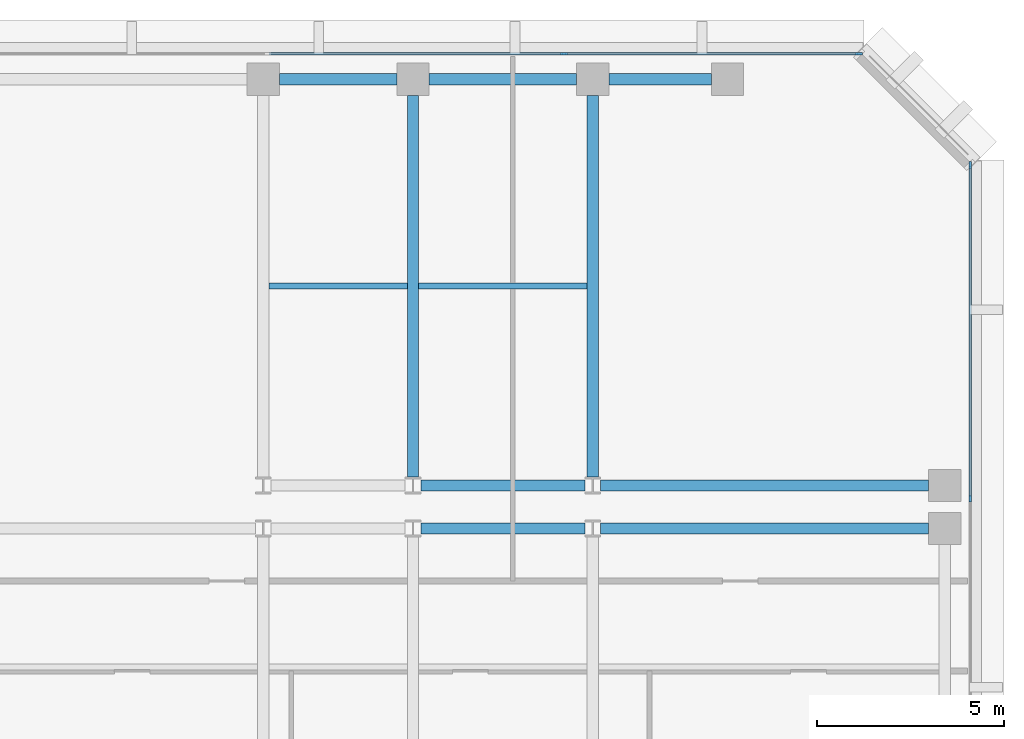
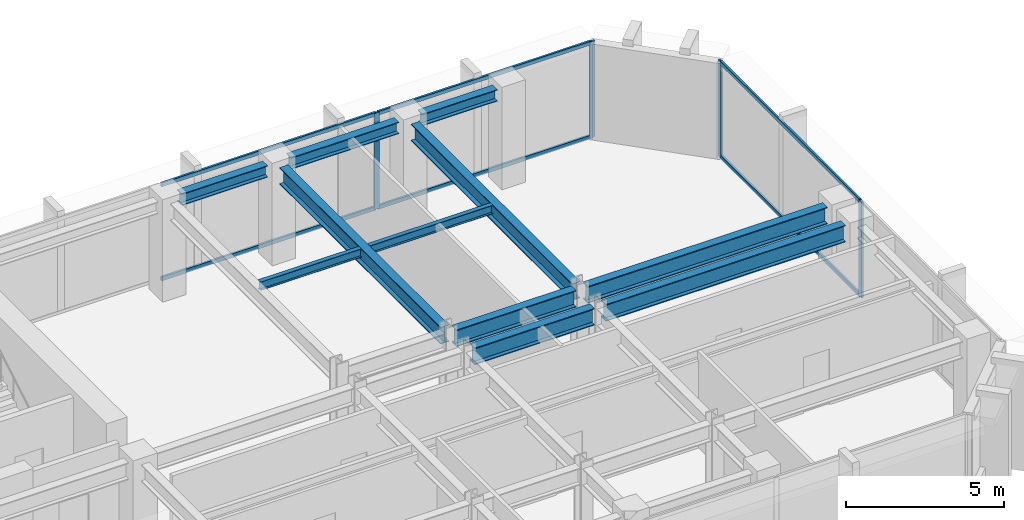
# One storey, part 5 of 11: 11 beams, 10 members, 2 elements without a shape of their own.
"""IFC4 building model written with IfcOpenShell, lengths in metres."""

from ifc_helpers import new_model, si_unit, direction, frame, origin, origin_2d, place, context, subcontext, project, spatial, rectangle, i_section, extrude, material, layer, layer_set, material_profile, profile_set, type_object, element, aggregate, save


model = new_model("IFC4")

# Units and contexts
model_context = context("Model", 3, precision=1e-05, world=origin(), true_north=direction((0.0, 1.0)))
body_context = subcontext(model_context, "Body", "Model", "MODEL_VIEW")
ifc_project = project(units=[si_unit("LENGTHUNIT", "METRE"), si_unit("AREAUNIT", "SQUARE_METRE"), si_unit("VOLUMEUNIT", "CUBIC_METRE"), si_unit("PLANEANGLEUNIT", "RADIAN"), si_unit("MASSUNIT", "GRAM", prefix="KILO")], contexts=[model_context])

# Site, building, storey
site_placement = place(None, origin())
site = spatial("IfcSite", under=ifc_project, at=site_placement, CompositionType="ELEMENT")
building_placement = place(site_placement, origin())
building = spatial("IfcBuilding", under=site, at=building_placement, Name="Kefirva Bronze Tower", CompositionType="ELEMENT")
storey_placement = place(building_placement, frame((0.0, 0.0, 146.85009765625)))
storey = spatial("IfcBuildingStorey", under=building, at=storey_placement, Name="L35", CompositionType="ELEMENT", Elevation=146.85009765625)

# Curtain wall, members
ifc_material_1 = material(Name="Bronze anodised aluminium", Category="aluminium")
ifc_layer = layer(ifc_material_1, 0.199951171875, Name="Bronze anodised aluminium")
ifc_layer_set = layer_set([ifc_layer], Name="Bronze anodised aluminium")
curtain_wall_type = type_object("IfcCurtainWallType", Name="Unitised Bronze Ribbon Curtain Wall Zone 2", PredefinedType="USERDEFINED", material=ifc_layer_set)
curtain_wall_1_placement = place(storey_placement, origin())
curtain_wall_1 = element("IfcCurtainWall", 1, at=curtain_wall_1_placement, inside=storey, type_object=curtain_wall_type, Name="L35 Curtain Wall 3", ObjectType="UNITISED CURTAIN WALL", PredefinedType="USERDEFINED")
ifc_material_profile_1 = material_profile(ifc_material_1, rectangle(XDim=0.074951171875, YDim=0.179931640625, at=origin_2d()), Name="ALU 75x180")
ifc_profile_set_1 = profile_set([ifc_material_profile_1], Name="Bronze anodised aluminium")
member_type_1 = type_object("IfcMemberType", Name="Bronze Mullion 75x180", PredefinedType="MULLION", material=ifc_profile_set_1)
member_1_placement = place(storey_placement, frame((50.080078125, 34.0, 0.0), z_axis=(0.0, 0.0, 1.0), x_axis=(-1.0, 0.0, 0.0)))
member_1 = element("IfcMember", 2, at=member_1_placement, type_object=member_type_1, Name="CW-02 mullion 2", PredefinedType="MULLION", context=body_context, shape_type="SweptSolid", body=[
    extrude(rectangle(XDim=0.074951171875, YDim=0.179931640625, at=origin_2d()), origin(), (0.0, 0.0, 1.0), 3.7099609375),
])
member_2_placement = place(storey_placement, frame((50.080078125, 42.907470703125, 0.0), z_axis=(0.0, 0.0, 1.0), x_axis=(-1.0, 0.0, 0.0)))
member_2 = element("IfcMember", 3, at=member_2_placement, type_object=member_type_1, Name="CW-02 mullion 3", PredefinedType="MULLION", context=body_context, shape_type="SweptSolid", body=[
    extrude(rectangle(XDim=0.074951171875, YDim=0.179931640625, at=origin_2d()), origin(), (0.0, 0.0, 1.0), 3.7099609375),
])

curtain_wall_2_placement = place(storey_placement, origin())
curtain_wall_2 = element("IfcCurtainWall", 4, at=curtain_wall_2_placement, inside=storey, type_object=curtain_wall_type, Name="L35 Curtain Wall 4", ObjectType="UNITISED CURTAIN WALL", PredefinedType="USERDEFINED")
member_3_placement = place(storey_placement, frame((47.107421875, 45.8798828125, 0.0), z_axis=(0.0, 0.0, 1.0), x_axis=(0.0, -1.0, 0.0)))
member_3 = element("IfcMember", 5, at=member_3_placement, type_object=member_type_1, Name="CW-02 mullion 1", PredefinedType="MULLION", context=body_context, shape_type="SweptSolid", body=[
    extrude(rectangle(XDim=0.074951171875, YDim=0.179931640625, at=origin_2d()), origin(), (0.0, 0.0, 1.0), 3.7099609375),
])
member_4_placement = place(storey_placement, frame((39.231689453125, 45.8798828125, 0.0), z_axis=(0.0, 0.0, 1.0), x_axis=(0.0, -1.0, 0.0)))
member_4 = element("IfcMember", 6, at=member_4_placement, type_object=member_type_1, Name="CW-02 mullion 2", PredefinedType="MULLION", context=body_context, shape_type="SweptSolid", body=[
    extrude(rectangle(XDim=0.074951171875, YDim=0.179931640625, at=origin_2d()), origin(), (0.0, 0.0, 1.0), 3.7099609375),
])

# Member
ifc_material_profile_2 = material_profile(ifc_material_1, rectangle(XDim=0.074951171875, YDim=0.14990234375, at=origin_2d()), Name="ALU 75x150")
ifc_profile_set_2 = profile_set([ifc_material_profile_2], Name="Bronze anodised aluminium")
member_type_2 = type_object("IfcMemberType", Name="Bronze Transom 75x150", PredefinedType="USERDEFINED", material=ifc_profile_set_2)
member_5_placement = place(storey_placement, frame((50.080078125, 34.03759765625, 0.037353515625), z_axis=(0.0, 1.0, 0.0), x_axis=(-1.0, 0.0, 0.0)))
member_5 = element("IfcMember", 7, at=member_5_placement, type_object=member_type_2, Name="CW-02 transom 2.1", ObjectType="TRANSOM", PredefinedType="USERDEFINED", context=body_context, shape_type="SweptSolid", body=[
    extrude(rectangle(XDim=0.074951171875, YDim=0.14990234375, at=origin_2d()), origin(), (0.0, 0.0, 1.0), 8.83251953125),
])

member_6_placement = place(storey_placement, frame((50.080078125, 34.03759765625, 3.67236328125), z_axis=(0.0, 1.0, 0.0), x_axis=(-1.0, 0.0, 0.0)))
member_6 = element("IfcMember", 8, at=member_6_placement, type_object=member_type_2, Name="CW-02 transom 2.2", ObjectType="TRANSOM", PredefinedType="USERDEFINED", context=body_context, shape_type="SweptSolid", body=[
    extrude(rectangle(XDim=0.074951171875, YDim=0.14990234375, at=origin_2d()), origin(), (0.0, 0.0, 1.0), 8.83251953125),
])

aggregate(curtain_wall_1, [member_1, member_2, member_5, member_6])

member_7_placement = place(storey_placement, frame((47.070068359375, 45.8798828125, 0.037353515625), z_axis=(-1.0, 0.0, 0.0), x_axis=(0.0, -1.0, 0.0)))
member_7 = element("IfcMember", 9, at=member_7_placement, type_object=member_type_2, Name="CW-02 transom 1.1", ObjectType="TRANSOM", PredefinedType="USERDEFINED", context=body_context, shape_type="SweptSolid", body=[
    extrude(rectangle(XDim=0.074951171875, YDim=0.14990234375, at=origin_2d()), origin(), (0.0, 0.0, 1.0), 7.80078125),
])

member_8_placement = place(storey_placement, frame((47.070068359375, 45.8798828125, 3.67236328125), z_axis=(-1.0, 0.0, 0.0), x_axis=(0.0, -1.0, 0.0)))
member_8 = element("IfcMember", 10, at=member_8_placement, type_object=member_type_2, Name="CW-02 transom 1.2", ObjectType="TRANSOM", PredefinedType="USERDEFINED", context=body_context, shape_type="SweptSolid", body=[
    extrude(rectangle(XDim=0.074951171875, YDim=0.14990234375, at=origin_2d()), origin(), (0.0, 0.0, 1.0), 7.80078125),
])

member_9_placement = place(storey_placement, frame((39.194091796875, 45.8798828125, 0.037353515625), z_axis=(-1.0, 0.0, 0.0), x_axis=(0.0, -1.0, 0.0)))
member_9 = element("IfcMember", 11, at=member_9_placement, type_object=member_type_2, Name="CW-02 transom 2.1", ObjectType="TRANSOM", PredefinedType="USERDEFINED", context=body_context, shape_type="SweptSolid", body=[
    extrude(rectangle(XDim=0.074951171875, YDim=0.14990234375, at=origin_2d()), origin(), (0.0, 0.0, 1.0), 7.83837890625),
])

member_10_placement = place(storey_placement, frame((39.194091796875, 45.8798828125, 3.67236328125), z_axis=(-1.0, 0.0, 0.0), x_axis=(0.0, -1.0, 0.0)))
member_10 = element("IfcMember", 12, at=member_10_placement, type_object=member_type_2, Name="CW-02 transom 2.2", ObjectType="TRANSOM", PredefinedType="USERDEFINED", context=body_context, shape_type="SweptSolid", body=[
    extrude(rectangle(XDim=0.074951171875, YDim=0.14990234375, at=origin_2d()), origin(), (0.0, 0.0, 1.0), 7.83837890625),
])

aggregate(curtain_wall_2, [member_3, member_4, member_7, member_8, member_9, member_10])

# Beams
ifc_material_2 = material(Name="Steel S355", Category="steel")
ifc_material_profile_3 = material_profile(ifc_material_2, i_section(OverallWidth=0.159912109375, OverallDepth=0.330078125, WebThickness=0.007568359375, FlangeThickness=0.011474609375, at=origin_2d()), Name="IPE 330")
ifc_profile_set_3 = profile_set([ifc_material_profile_3], Name="Steel S355")
beam_type_1 = type_object("IfcBeamType", Name="Steel Floor Joist IPE 330", PredefinedType="JOIST", material=ifc_profile_set_3)
beam_1_placement = place(storey_placement, frame((31.35009765625, 39.673583984375, 3.544921875), z_axis=(1.0, 0.0, 0.0), x_axis=(0.0, 1.0, 0.0)))
element("IfcBeam", 13, at=beam_1_placement, inside=storey, type_object=beam_type_1, Name="L35 JST-L35-31-396", PredefinedType="JOIST", context=body_context, shape_type="SweptSolid", body=[
    extrude(i_section(OverallWidth=0.159912109375, OverallDepth=0.330078125, WebThickness=0.007568359375, FlangeThickness=0.011474609375, at=origin_2d()), origin(), (0.0, 0.0, 1.0), 3.699951171875),
])
beam_2_placement = place(storey_placement, frame((35.35009765625, 39.673583984375, 3.544921875), z_axis=(1.0, 0.0, 0.0), x_axis=(0.0, 1.0, 0.0)))
element("IfcBeam", 14, at=beam_2_placement, inside=storey, type_object=beam_type_1, Name="L35 JST-L35-35-396", PredefinedType="JOIST", context=body_context, shape_type="SweptSolid", body=[
    extrude(i_section(OverallWidth=0.159912109375, OverallDepth=0.330078125, WebThickness=0.007568359375, FlangeThickness=0.011474609375, at=origin_2d()), origin(), (0.0, 0.0, 1.0), 4.5),
])
ifc_material_profile_4 = material_profile(ifc_material_2, i_section(OverallWidth=0.300048828125, OverallDepth=0.64990234375, WebThickness=0.01611328125, FlangeThickness=0.031005859375, at=origin_2d()), Name="HEB 650")
ifc_profile_set_4 = profile_set([ifc_material_profile_4], Name="Steel S355")
beam_type_2 = type_object("IfcBeamType", Name="Steel Girder HEB 650", PredefinedType="USERDEFINED", material=ifc_profile_set_4)
beam_3_placement = place(storey_placement, frame((35.408935546875, 33.199951171875, 3.385009765625), z_axis=(1.0, 0.0, 0.0), x_axis=(0.0, 1.0, 0.0)))
element("IfcBeam", 15, at=beam_3_placement, inside=storey, type_object=beam_type_2, Name="L35 BM-L35-EW-35-332", ObjectType="GIRDER", PredefinedType="USERDEFINED", context=body_context, shape_type="SweptSolid", body=[
    extrude(i_section(OverallWidth=0.300048828125, OverallDepth=0.64990234375, WebThickness=0.01611328125, FlangeThickness=0.031005859375, at=origin_2d()), origin(), (0.0, 0.0, 1.0), 4.382080078125),
])
beam_4_placement = place(storey_placement, frame((40.208984375, 33.199951171875, 3.385009765625), z_axis=(1.0, 0.0, 0.0), x_axis=(0.0, 1.0, 0.0)))
element("IfcBeam", 16, at=beam_4_placement, inside=storey, type_object=beam_type_2, Name="L35 BM-L35-EW-40-332", ObjectType="GIRDER", PredefinedType="USERDEFINED", context=body_context, shape_type="SweptSolid", body=[
    extrude(i_section(OverallWidth=0.300048828125, OverallDepth=0.64990234375, WebThickness=0.01611328125, FlangeThickness=0.031005859375, at=origin_2d()), origin(), (0.0, 0.0, 1.0), 8.760986328125),
])
beam_5_placement = place(storey_placement, frame((35.408935546875, 34.35009765625, 3.385009765625), z_axis=(1.0, 0.0, 0.0), x_axis=(0.0, 1.0, 0.0)))
element("IfcBeam", 17, at=beam_5_placement, inside=storey, type_object=beam_type_2, Name="L35 BM-L35-EW-35-344", ObjectType="GIRDER", PredefinedType="USERDEFINED", context=body_context, shape_type="SweptSolid", body=[
    extrude(i_section(OverallWidth=0.300048828125, OverallDepth=0.64990234375, WebThickness=0.01611328125, FlangeThickness=0.031005859375, at=origin_2d()), origin(), (0.0, 0.0, 1.0), 4.382080078125),
])
beam_6_placement = place(storey_placement, frame((40.208984375, 34.35009765625, 3.385009765625), z_axis=(1.0, 0.0, 0.0), x_axis=(0.0, 1.0, 0.0)))
element("IfcBeam", 18, at=beam_6_placement, inside=storey, type_object=beam_type_2, Name="L35 BM-L35-EW-40-344", ObjectType="GIRDER", PredefinedType="USERDEFINED", context=body_context, shape_type="SweptSolid", body=[
    extrude(i_section(OverallWidth=0.300048828125, OverallDepth=0.64990234375, WebThickness=0.01611328125, FlangeThickness=0.031005859375, at=origin_2d()), origin(), (0.0, 0.0, 1.0), 8.760986328125),
])
for number, where, z_axis, x_axis, name in (
    (19, (35.199951171875, 34.577392578125, 3.385009765625), (0.0, 1.0, 0.0), (-1.0, 0.0, 0.0), "L35 BM-L35-NS-352-34"),
    (20, (40.0, 34.577392578125, 3.385009765625), (0.0, 1.0, 0.0), (-1.0, 0.0, 0.0), "L35 BM-L35-NS-400-34"),
):
    element("IfcBeam", number, at=place(storey_placement, frame(where, z_axis=z_axis, x_axis=x_axis)), inside=storey, type_object=beam_type_2, Name=name, ObjectType="GIRDER", PredefinedType="USERDEFINED", context=body_context, shape_type="SweptSolid", body=[
        extrude(i_section(OverallWidth=0.300048828125, OverallDepth=0.64990234375, WebThickness=0.01611328125, FlangeThickness=0.031005859375, at=origin_2d()), origin(), (0.0, 0.0, 1.0), 10.192626953125),
    ])
ifc_material_profile_5 = material_profile(ifc_material_2, i_section(OverallWidth=0.300048828125, OverallDepth=0.449951171875, WebThickness=0.013916015625, FlangeThickness=0.02587890625, at=origin_2d()), Name="HEB 450")
ifc_profile_set_5 = profile_set([ifc_material_profile_5], Name="Steel S355")
beam_type_3 = type_object("IfcBeamType", Name="Steel Spandrel HEB 450 Ext", PredefinedType="SPANDREL", material=ifc_profile_set_5)
beam_7_placement = place(storey_placement, frame((31.6298828125, 45.199951171875, 3.48486328125), z_axis=(1.0, 0.0, 0.0), x_axis=(0.0, 1.0, 0.0)))
element("IfcBeam", 21, at=beam_7_placement, inside=storey, type_object=beam_type_3, Name="L35 BM-L35-EW-31-452", PredefinedType="SPANDREL", context=body_context, shape_type="SweptSolid", body=[
    extrude(i_section(OverallWidth=0.300048828125, OverallDepth=0.449951171875, WebThickness=0.013916015625, FlangeThickness=0.02587890625, at=origin_2d()), origin(), (0.0, 0.0, 1.0), 3.14013671875),
])
beam_8_placement = place(storey_placement, frame((35.6298828125, 45.199951171875, 3.48486328125), z_axis=(1.0, 0.0, 0.0), x_axis=(0.0, 1.0, 0.0)))
element("IfcBeam", 22, at=beam_8_placement, inside=storey, type_object=beam_type_3, Name="L35 BM-L35-EW-35-452", PredefinedType="SPANDREL", context=body_context, shape_type="SweptSolid", body=[
    extrude(i_section(OverallWidth=0.300048828125, OverallDepth=0.449951171875, WebThickness=0.013916015625, FlangeThickness=0.02587890625, at=origin_2d()), origin(), (0.0, 0.0, 1.0), 3.940185546875),
])
beam_9_placement = place(storey_placement, frame((40.429931640625, 45.199951171875, 3.48486328125), z_axis=(1.0, 0.0, 0.0), x_axis=(0.0, 1.0, 0.0)))
element("IfcBeam", 23, at=beam_9_placement, inside=storey, type_object=beam_type_3, Name="L35 BM-L35-EW-40-452", PredefinedType="SPANDREL", context=body_context, shape_type="SweptSolid", body=[
    extrude(i_section(OverallWidth=0.300048828125, OverallDepth=0.449951171875, WebThickness=0.013916015625, FlangeThickness=0.02587890625, at=origin_2d()), origin(), (0.0, 0.0, 1.0), 2.739990234375),
])

save(model, "model.ifc")
